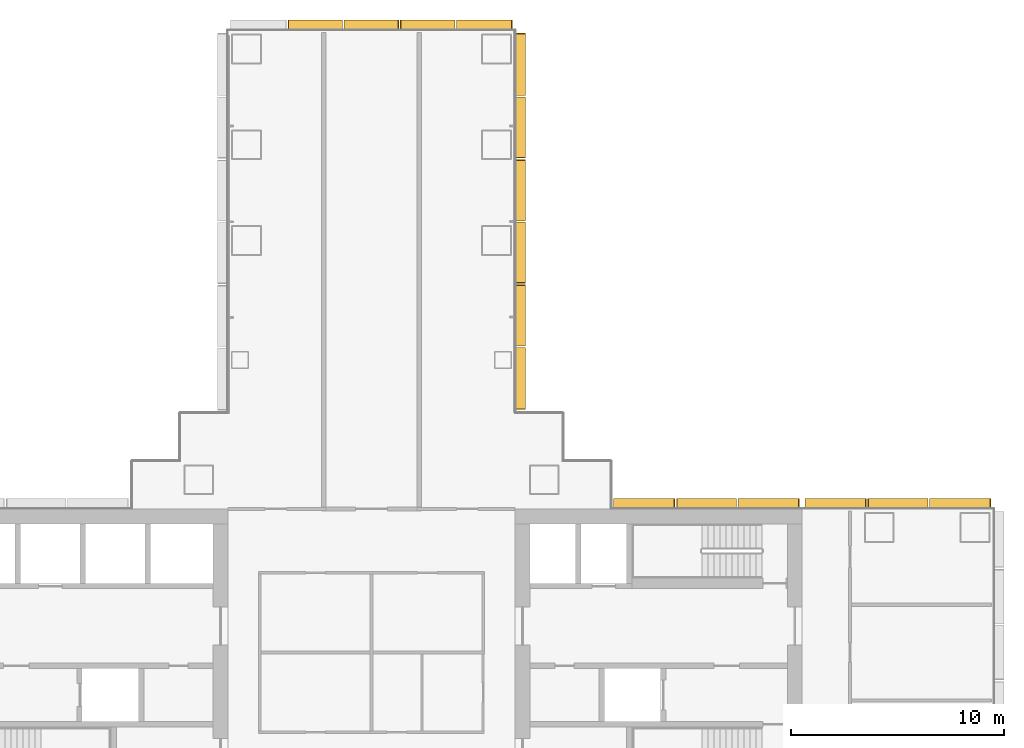
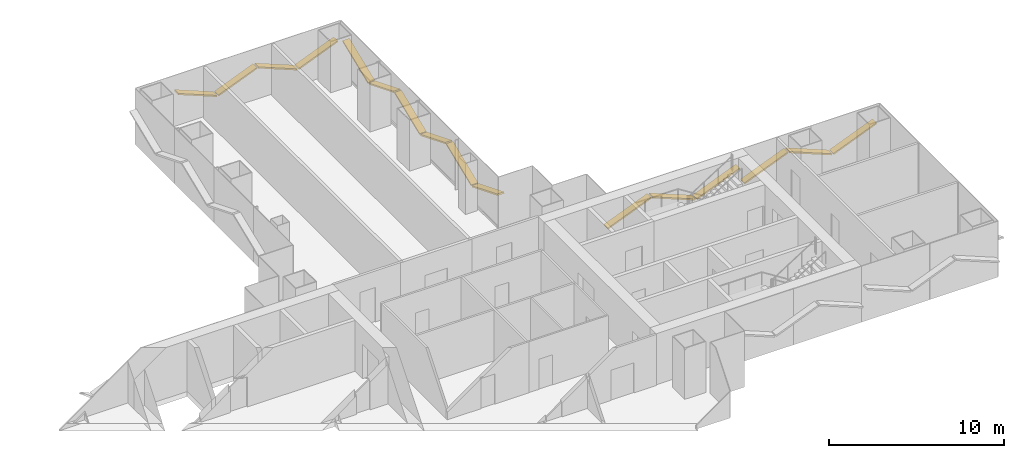
# One storey, part 21 of 21: 16 shading devices.
"""IFC4 building model written with IfcOpenShell, lengths in metres."""

from ifc_helpers import new_model, si_unit, direction, frame, origin, origin_2d, place, context, subcontext, project, spatial, rectangle, extrude, material, material_profile, profile_set, type_object, element, save


model = new_model("IFC4")

# Units and contexts
model_context = context("Model", 3, precision=1e-05, world=origin(), true_north=direction((0.0, 1.0)))
body_context = subcontext(model_context, "Body", "Model", "MODEL_VIEW")
ifc_project = project(units=[si_unit("LENGTHUNIT", "METRE"), si_unit("AREAUNIT", "SQUARE_METRE"), si_unit("VOLUMEUNIT", "CUBIC_METRE"), si_unit("PLANEANGLEUNIT", "RADIAN"), si_unit("MASSUNIT", "GRAM", prefix="KILO")], contexts=[model_context])

# Site, building, storey
site_placement = place(None, origin())
site = spatial("IfcSite", under=ifc_project, at=site_placement, CompositionType="ELEMENT")
building_placement = place(site_placement, origin())
building = spatial("IfcBuilding", under=site, at=building_placement, Name="Shamsa Quay Exchange Towers", CompositionType="ELEMENT")
storey_placement = place(building_placement, frame((0.0, 0.0, 57.60009765625)))
storey = spatial("IfcBuildingStorey", under=building, at=storey_placement, Name="L12", CompositionType="ELEMENT", Elevation=57.60009765625)

# Shading devices
ifc_material = material(Name="Aluminium EN AW-6063 T6, black anodised", Category="aluminium")
ifc_material_profile = material_profile(ifc_material, rectangle(XDim=0.449951171875, YDim=0.10009765625, at=origin_2d()), Name="FIN450x100")
ifc_profile_set = profile_set([ifc_material_profile], Name="Aluminium EN AW-6063 T6, black anodised")
shading_device_type = type_object("IfcShadingDeviceType", Name="FIN 450x100 BLACK ALUMINIUM", PredefinedType="USERDEFINED", material=ifc_profile_set)
shading_device_1_placement = place(storey_placement, frame((62.85009765625, 7.014892578125, 2.175537109375), z_axis=(-0.927200465101, 0.0, -0.374565478278), x_axis=(0.0, -1.0, 0.0)))
element("IfcShadingDevice", 1, at=shading_device_1_placement, inside=storey, type_object=shading_device_type, Name="FIN T2 chevron rib", ObjectType="FIN", PredefinedType="USERDEFINED", context=body_context, shape_type="SweptSolid", body=[
    extrude(rectangle(XDim=0.449951171875, YDim=0.10009765625, at=origin_2d()), origin(), (0.0, 0.0, 1.0), 3.073974609375),
])
shading_device_2_placement = place(storey_placement, frame((59.89990234375, 7.014892578125, 1.0341796875), z_axis=(-0.927166240011, 0.0, 0.37465018802), x_axis=(0.0, -1.0, 0.0)))
element("IfcShadingDevice", 2, at=shading_device_2_placement, inside=storey, type_object=shading_device_type, Name="FIN T2 chevron rib", ObjectType="FIN", PredefinedType="USERDEFINED", context=body_context, shape_type="SweptSolid", body=[
    extrude(rectangle(XDim=0.449951171875, YDim=0.10009765625, at=origin_2d()), origin(), (0.0, 0.0, 1.0), 3.019775390625),
])
for number, where, z_axis, x_axis, name in (
    (3, (57.0, 7.014892578125, 2.175537109375), (-0.927200465101, 0.0, -0.374565478278), (0.0, -1.0, 0.0), "FIN T2 chevron rib"),
    (4, (53.85009765625, 7.01904296875, 2.175537109375), (-0.927200465101, 0.0, -0.374565478278), (0.0, -1.0, 0.0), "FIN T2 chevron rib"),
):
    element("IfcShadingDevice", number, at=place(storey_placement, frame(where, z_axis=z_axis, x_axis=x_axis)), inside=storey, type_object=shading_device_type, Name=name, ObjectType="FIN", PredefinedType="USERDEFINED", context=body_context, shape_type="SweptSolid", body=[
        extrude(rectangle(XDim=0.449951171875, YDim=0.10009765625, at=origin_2d()), origin(), (0.0, 0.0, 1.0), 3.073974609375),
    ])
shading_device_3_placement = place(storey_placement, frame((50.89990234375, 7.01904296875, 1.0341796875), z_axis=(-0.927166240011, 0.0, 0.37465018802), x_axis=(0.0, -1.0, 0.0)))
element("IfcShadingDevice", 5, at=shading_device_3_placement, inside=storey, type_object=shading_device_type, Name="FIN T2 chevron rib", ObjectType="FIN", PredefinedType="USERDEFINED", context=body_context, shape_type="SweptSolid", body=[
    extrude(rectangle(XDim=0.449951171875, YDim=0.10009765625, at=origin_2d()), origin(), (0.0, 0.0, 1.0), 3.019775390625),
])
shading_device_4_placement = place(storey_placement, frame((48.0, 7.01904296875, 2.175537109375), z_axis=(-0.927200465101, 0.0, -0.374565478278), x_axis=(0.0, -1.0, 0.0)))
element("IfcShadingDevice", 6, at=shading_device_4_placement, inside=storey, type_object=shading_device_type, Name="FIN T2 chevron rib", ObjectType="FIN", PredefinedType="USERDEFINED", context=body_context, shape_type="SweptSolid", body=[
    extrude(rectangle(XDim=0.449951171875, YDim=0.10009765625, at=origin_2d()), origin(), (0.0, 0.0, 1.0), 3.073974609375),
])
shading_device_5_placement = place(storey_placement, frame((40.764892578125, 11.43798828125, 2.1845703125), z_axis=(0.0, 0.927181758575, -0.374611781137), x_axis=(-1.0, 0.0, 0.0)))
element("IfcShadingDevice", 7, at=shading_device_5_placement, inside=storey, type_object=shading_device_type, Name="FIN T2 chevron rib", ObjectType="FIN", PredefinedType="USERDEFINED", context=body_context, shape_type="SweptSolid", body=[
    extrude(rectangle(XDim=0.449951171875, YDim=0.10009765625, at=origin_2d()), origin(), (0.0, 0.0, 1.0), 3.12109375),
])
for number, where, z_axis, x_axis, name in (
    (8, (40.764892578125, 14.431640625, 1.025390625), (0.0, 0.927186549588, 0.374599922936), (-1.0, 0.0, 0.0), "FIN T2 chevron rib"),
    (9, (40.764892578125, 17.375244140625, 2.17431640625), (0.0, 0.927186549588, -0.374599922936), (-1.0, 0.0, 0.0), "FIN T2 chevron rib"),
):
    element("IfcShadingDevice", number, at=place(storey_placement, frame(where, z_axis=z_axis, x_axis=x_axis)), inside=storey, type_object=shading_device_type, Name=name, ObjectType="FIN", PredefinedType="USERDEFINED", context=body_context, shape_type="SweptSolid", body=[
        extrude(rectangle(XDim=0.449951171875, YDim=0.10009765625, at=origin_2d()), origin(), (0.0, 0.0, 1.0), 3.067138671875),
    ])
shading_device_6_placement = place(storey_placement, frame((40.764892578125, 20.319091796875, 1.025390625), z_axis=(0.0, 0.927175378404, 0.374627571973), x_axis=(-1.0, 0.0, 0.0)))
element("IfcShadingDevice", 10, at=shading_device_6_placement, inside=storey, type_object=shading_device_type, Name="FIN T2 chevron rib", ObjectType="FIN", PredefinedType="USERDEFINED", context=body_context, shape_type="SweptSolid", body=[
    extrude(rectangle(XDim=0.449951171875, YDim=0.10009765625, at=origin_2d()), origin(), (0.0, 0.0, 1.0), 3.06689453125),
])
shading_device_7_placement = place(storey_placement, frame((40.764892578125, 23.2626953125, 2.17431640625), z_axis=(0.0, 0.927186549588, -0.374599922936), x_axis=(-1.0, 0.0, 0.0)))
element("IfcShadingDevice", 11, at=shading_device_7_placement, inside=storey, type_object=shading_device_type, Name="FIN T2 chevron rib", ObjectType="FIN", PredefinedType="USERDEFINED", context=body_context, shape_type="SweptSolid", body=[
    extrude(rectangle(XDim=0.449951171875, YDim=0.10009765625, at=origin_2d()), origin(), (0.0, 0.0, 1.0), 3.067138671875),
])
shading_device_8_placement = place(storey_placement, frame((40.764892578125, 26.206298828125, 1.015380859375), z_axis=(0.0, 0.927181758575, 0.374611781137), x_axis=(-1.0, 0.0, 0.0)))
element("IfcShadingDevice", 12, at=shading_device_8_placement, inside=storey, type_object=shading_device_type, Name="FIN T2 chevron rib", ObjectType="FIN", PredefinedType="USERDEFINED", context=body_context, shape_type="SweptSolid", body=[
    extrude(rectangle(XDim=0.449951171875, YDim=0.10009765625, at=origin_2d()), origin(), (0.0, 0.0, 1.0), 3.12109375),
])
shading_device_9_placement = place(storey_placement, frame((40.35009765625, 29.514892578125, 2.123046875), z_axis=(-0.927193392866, 0.0, -0.374582984431), x_axis=(0.0, -1.0, 0.0)))
element("IfcShadingDevice", 13, at=shading_device_9_placement, inside=storey, type_object=shading_device_type, Name="FIN T2 chevron rib", ObjectType="FIN", PredefinedType="USERDEFINED", context=body_context, shape_type="SweptSolid", body=[
    extrude(rectangle(XDim=0.449951171875, YDim=0.10009765625, at=origin_2d()), origin(), (0.0, 0.0, 1.0), 2.79345703125),
])
shading_device_10_placement = place(storey_placement, frame((37.659912109375, 29.514892578125, 1.086669921875), z_axis=(-0.927155522456, 0.0, 0.374676710219), x_axis=(0.0, -1.0, 0.0)))
element("IfcShadingDevice", 14, at=shading_device_10_placement, inside=storey, type_object=shading_device_type, Name="FIN T2 chevron rib", ObjectType="FIN", PredefinedType="USERDEFINED", context=body_context, shape_type="SweptSolid", body=[
    extrude(rectangle(XDim=0.449951171875, YDim=0.10009765625, at=origin_2d()), origin(), (0.0, 0.0, 1.0), 2.7392578125),
])
shading_device_11_placement = place(storey_placement, frame((35.02001953125, 29.514892578125, 2.113037109375), z_axis=(-0.927168032348, 0.0, -0.374645752402), x_axis=(0.0, -1.0, 0.0)))
element("IfcShadingDevice", 15, at=shading_device_11_placement, inside=storey, type_object=shading_device_type, Name="FIN T2 chevron rib", ObjectType="FIN", PredefinedType="USERDEFINED", context=body_context, shape_type="SweptSolid", body=[
    extrude(rectangle(XDim=0.449951171875, YDim=0.10009765625, at=origin_2d()), origin(), (0.0, 0.0, 1.0), 2.739501953125),
])
shading_device_12_placement = place(storey_placement, frame((32.3798828125, 29.514892578125, 1.086669921875), z_axis=(-0.927155522456, 0.0, 0.374676710219), x_axis=(0.0, -1.0, 0.0)))
element("IfcShadingDevice", 16, at=shading_device_12_placement, inside=storey, type_object=shading_device_type, Name="FIN T2 chevron rib", ObjectType="FIN", PredefinedType="USERDEFINED", context=body_context, shape_type="SweptSolid", body=[
    extrude(rectangle(XDim=0.449951171875, YDim=0.10009765625, at=origin_2d()), origin(), (0.0, 0.0, 1.0), 2.7392578125),
])

save(model, "model.ifc")
